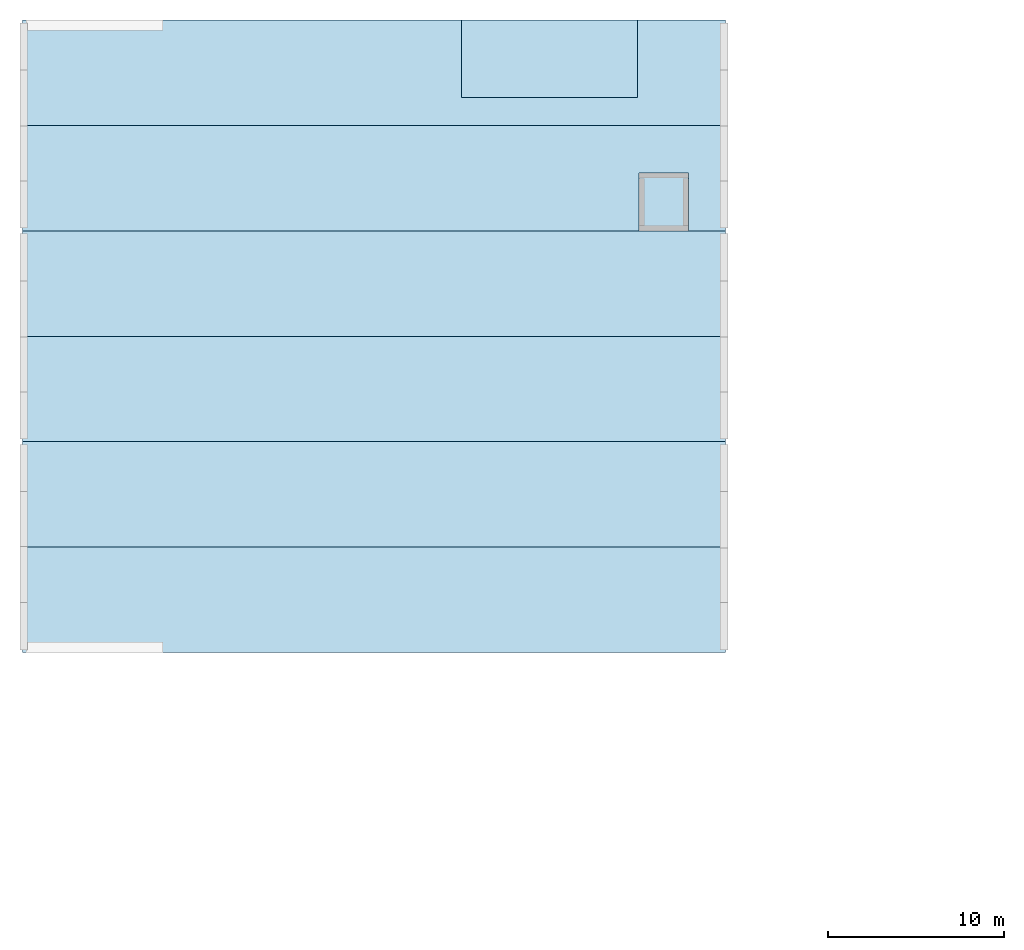
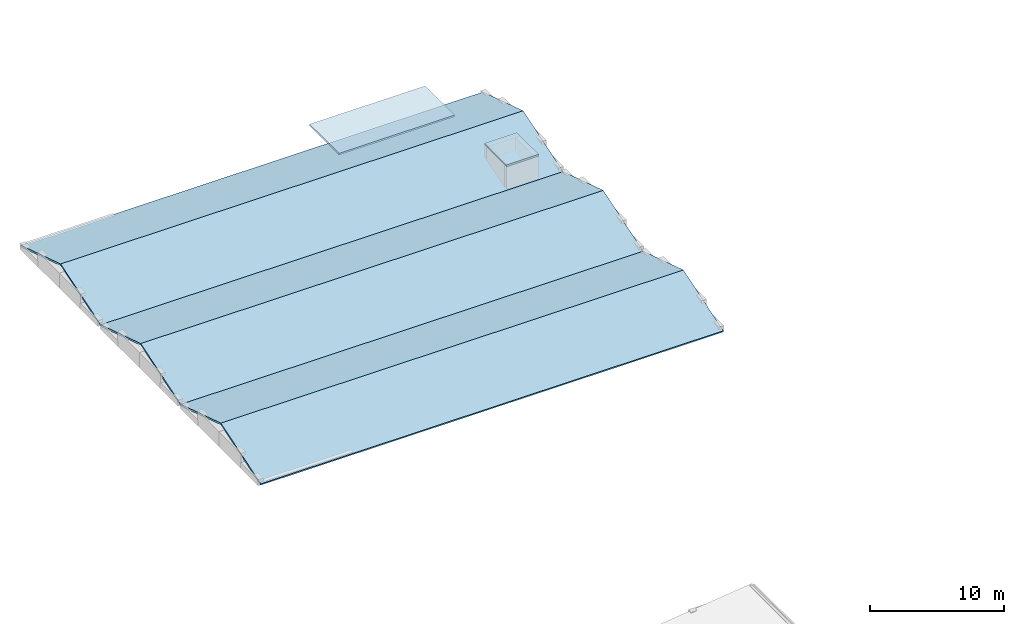
# One storey, part 38 of 49: 8 slabs, 1 element without a shape of its own.
"""IFC4 building model written with IfcOpenShell, lengths in metres."""

from ifc_helpers import new_model, si_unit, direction, frame, origin, place, context, subcontext, project, spatial, polyline, outline, extrude, material, layer, layer_set, type_object, element, aggregate, save


model = new_model("IFC4")

# Units and contexts
model_context = context("Model", 3, precision=1e-05, world=origin(), true_north=direction((0.0, 1.0)))
body_context = subcontext(model_context, "Body", "Model", "MODEL_VIEW")
ifc_project = project(units=[si_unit("LENGTHUNIT", "METRE"), si_unit("AREAUNIT", "SQUARE_METRE"), si_unit("VOLUMEUNIT", "CUBIC_METRE"), si_unit("PLANEANGLEUNIT", "RADIAN"), si_unit("MASSUNIT", "GRAM", prefix="KILO")], contexts=[model_context])

# Site, building, storey
site_placement = place(None, origin())
site = spatial("IfcSite", under=ifc_project, at=site_placement, CompositionType="ELEMENT")
building_placement = place(site_placement, origin())
building = spatial("IfcBuilding", under=site, at=building_placement, Name="Sundkrona Museum", CompositionType="ELEMENT")
storey_placement = place(building_placement, frame((0.0, 0.0, 26.0)))
storey = spatial("IfcBuildingStorey", under=building, at=storey_placement, Name="L05", CompositionType="ELEMENT", Elevation=26.0)

# Slabs
ifc_material_1 = material(Name="Concrete C35/45", Category="concrete")
ifc_layer_1 = layer(ifc_material_1, 0.159912109375)
ifc_layer_set_1 = layer_set([ifc_layer_1], Name="Concrete C35/45")
slab_type = type_object("IfcSlabType", Name="SL-RF-160", PredefinedType="ROOF", material=ifc_layer_set_1)
slab_1_placement = place(storey_placement, frame((0.0, 0.0, 2.10009765625)))
element("IfcSlab", 1, at=slab_1_placement, inside=storey, type_object=slab_type, Name="PL-3 Lift Overrun Cap Slab", PredefinedType="ROOF", context=body_context, shape_type="SweptSolid", body=[
    extrude(outline(polyline([(51.10009765625, 102.0), (53.89990234375, 102.0), (53.89990234375, 105.300048828125), (51.10009765625, 105.300048828125), (51.10009765625, 102.0)])), origin(), (0.0, 0.0, 1.0), 0.159912109375),
])
slab_2_placement = place(storey_placement, frame((0.0, 0.0, 2.10009765625)))
element("IfcSlab", 2, at=slab_2_placement, inside=storey, type_object=slab_type, Name="Core ST-3 Stair Shaft Roof Cap Slab", PredefinedType="ROOF", context=body_context, shape_type="SweptSolid", body=[
    extrude(outline(polyline([(41.0, 109.60009765625), (51.0, 109.60009765625), (51.0, 114.0), (41.0, 114.0), (41.0, 109.60009765625)])), origin(), (0.0, 0.0, 1.0), 0.159912109375),
])

# Roof, slabs
ifc_material_2 = material(Name="Patinated Copper and Composite Steel-Concrete", Category="concrete")
ifc_layer_2 = layer(ifc_material_2, 0.179931640625)
ifc_layer_set_2 = layer_set([ifc_layer_2], Name="Patinated Copper and Composite Steel-Concrete")
roof_type = type_object("IfcRoofType", Name="ROOF-PAV", PredefinedType="PAVILION_ROOF", material=ifc_layer_set_2)
roof_placement = place(storey_placement, origin())
roof = element("IfcRoof", 3, at=roof_placement, inside=storey, type_object=roof_type, Name="Volume 3 Finned Wing Standing-Seam Copper Roof", PredefinedType="PAVILION_ROOF")
slab_3_placement = place(storey_placement, frame((16.0, 78.0, -0.050048828125), z_axis=(0.0, -0.304799631825, 0.952416497358), x_axis=(1.0, 0.0, 0.0)))
slab_3 = element("IfcSlab", 4, at=slab_3_placement, type_object=slab_type, Name="Volume 3 Catalan Vault 1 South Shell", PredefinedType="ROOF", context=body_context, shape_type="SweptSolid", body=[
    extrude(outline(polyline([(0.0, 0.0), (40.0, 0.0), (40.0, 6.299764878752317), (0.0, 6.299764878752317), (0.0, 0.0)])), origin(), (0.0, 0.0, -1.0), 0.159912109375),
])
slab_4_placement = place(storey_placement, frame((16.0, 84.0, 1.8701171875), z_axis=(0.0, 0.304799631825, 0.952416497358), x_axis=(1.0, 0.0, 0.0)))
slab_4 = element("IfcSlab", 5, at=slab_4_placement, type_object=slab_type, Name="Volume 3 Catalan Vault 1 North Shell", PredefinedType="ROOF", context=body_context, shape_type="SweptSolid", body=[
    extrude(outline(polyline([(0.0, 0.0), (40.0, 0.0), (40.0, 6.299764878752317), (0.0, 6.299764878752317), (0.0, 0.0)])), origin(), (0.0, 0.0, -1.0), 0.159912109375),
])
slab_5_placement = place(storey_placement, frame((16.0, 90.0, -0.050048828125), z_axis=(0.0, -0.304799631825, 0.952416497358), x_axis=(1.0, 0.0, 0.0)))
slab_5 = element("IfcSlab", 6, at=slab_5_placement, type_object=slab_type, Name="Volume 3 Catalan Vault 2 South Shell", PredefinedType="ROOF", context=body_context, shape_type="SweptSolid", body=[
    extrude(outline(polyline([(0.0, 0.0), (40.0, 0.0), (40.0, 6.299764878752317), (0.0, 6.299764878752317), (0.0, 0.0)])), origin(), (0.0, 0.0, -1.0), 0.159912109375),
])
slab_6_placement = place(storey_placement, frame((16.0, 96.0, 1.8701171875), z_axis=(0.0, 0.304799631825, 0.952416497358), x_axis=(1.0, 0.0, 0.0)))
slab_6 = element("IfcSlab", 7, at=slab_6_placement, type_object=slab_type, Name="Volume 3 Catalan Vault 2 North Shell", PredefinedType="ROOF", context=body_context, shape_type="SweptSolid", body=[
    extrude(outline(polyline([(0.0, 0.0), (40.0, 0.0), (40.0, 6.299764878752317), (0.0, 6.299764878752317), (0.0, 0.0)])), origin(), (0.0, 0.0, -1.0), 0.159912109375),
])
slab_7_placement = place(storey_placement, frame((16.0, 102.0, -0.050048828125), z_axis=(0.0, -0.304799631825, 0.952416497358), x_axis=(1.0, 0.0, 0.0)))
slab_7 = element("IfcSlab", 8, at=slab_7_placement, type_object=slab_type, Name="Volume 3 Catalan Vault 3 South Shell", PredefinedType="ROOF", context=body_context, shape_type="SweptSolid", body=[
    extrude(outline(polyline([(0.0, 0.0), (40.0, 0.0), (40.0, 6.299764878752317), (0.0, 6.299764878752317), (0.0, 0.0)])), origin(), (0.0, 0.0, -1.0), 0.159912109375),
])
slab_8_placement = place(storey_placement, frame((16.0, 108.0, 1.8701171875), z_axis=(0.0, 0.304799631825, 0.952416497358), x_axis=(1.0, 0.0, 0.0)))
slab_8 = element("IfcSlab", 9, at=slab_8_placement, type_object=slab_type, Name="Volume 3 Catalan Vault 3 North Shell", PredefinedType="ROOF", context=body_context, shape_type="SweptSolid", body=[
    extrude(outline(polyline([(0.0, 0.0), (40.0, 0.0), (40.0, 6.299764878752317), (0.0, 6.299764878752317), (0.0, 0.0)])), origin(), (0.0, 0.0, -1.0), 0.159912109375),
])
aggregate(roof, [slab_3, slab_4, slab_5, slab_6, slab_7, slab_8])

save(model, "model.ifc")
